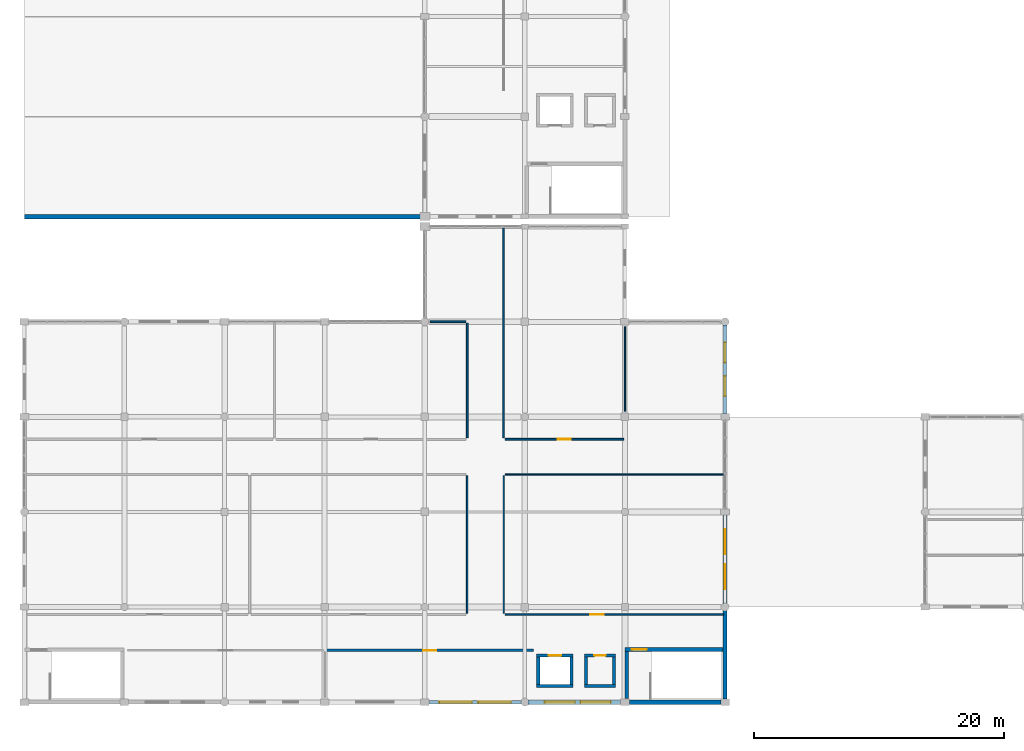
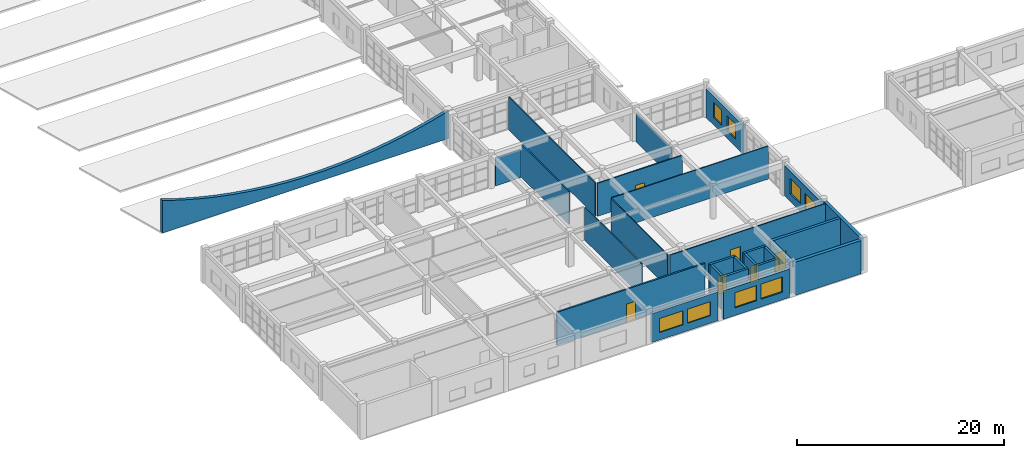
# One storey, part 102 of 121: 27 walls, 8 windows, 6 doors, 14 openings.
"""IFC4 building model written with IfcOpenShell, lengths in metres."""

from ifc_helpers import new_model, si_unit, direction, frame, frame_2d, origin, place, context, subcontext, project, spatial, polyline, rectangle, outline, extrude, material, layer, layer_set, type_object, element, fill, save


model = new_model("IFC4")

# Units and contexts
model_context = context("Model", 3, precision=1e-05, world=origin(), true_north=direction((0.0, 1.0)))
body_context = subcontext(model_context, "Body", "Model", "MODEL_VIEW")
ifc_project = project(units=[si_unit("LENGTHUNIT", "METRE"), si_unit("AREAUNIT", "SQUARE_METRE"), si_unit("VOLUMEUNIT", "CUBIC_METRE"), si_unit("PLANEANGLEUNIT", "RADIAN"), si_unit("MASSUNIT", "GRAM", prefix="KILO")], contexts=[model_context])

# Site, building, storey
site_placement = place(None, origin())
site = spatial("IfcSite", under=ifc_project, at=site_placement, CompositionType="ELEMENT")
building_placement = place(site_placement, origin())
building = spatial("IfcBuilding", under=site, at=building_placement, Name="Kharva Crest Polytechnic", CompositionType="ELEMENT")
storey_placement = place(building_placement, frame((0.0, 0.0, 13.199951171875)))
storey = spatial("IfcBuildingStorey", under=building, at=storey_placement, Name="L03", CompositionType="ELEMENT", Elevation=13.199951171875)

# Wall, opening, door
ifc_material_1 = material(Name="Concrete C40/50", Category="concrete")
ifc_layer_1 = layer(ifc_material_1, 0.300048828125, Name="Concrete C40/50")
ifc_layer_set_1 = layer_set([ifc_layer_1], Name="Concrete C40/50")
wall_type_1 = type_object("IfcWallType", Name="WL-CORE-CW2-300", PredefinedType="SHEAR", material=ifc_layer_set_1)
wall_1_placement = place(storey_placement, frame((48.0, 4.2099609375, 0.0), z_axis=(0.0, 0.0, 1.0), x_axis=(1.0, 0.0, 0.0)))
wall_1 = element("IfcWall", 1, at=wall_1_placement, inside=storey, type_object=wall_type_1, Name="L03 South-West Lecture Core C1 North Shear Wall", PredefinedType="SHEAR", context=body_context, shape_type="SweptSolid", body=[
    extrude(rectangle(XDim=8.0, YDim=0.300048828125, at=frame_2d((4.0, 0.0))), origin(), (0.0, 0.0, 1.0), 3.920166015625),
])
opening_1_placement = place(wall_1_placement, frame((0.550048828125, 0.0, 0.0)))
opening_1 = element("IfcOpeningElement", 2, at=opening_1_placement, cuts=wall_1, Name="Opening FD1", PredefinedType="OPENING", context=body_context, shape_type="SweptSolid", body=[
    extrude(rectangle(XDim=1.199951171875, YDim=2.199951171875, at=frame_2d((0.60009765625, 1.10009765625))), frame((0.0, 0.159912109375, 0.0), z_axis=(0.0, -1.0, 0.0), x_axis=(1.0, 0.0, 0.0)), (0.0, 0.0, 1.0), 0.320068359375),
])
ifc_material_2 = material(Name="Teak timber", Category="wood")
door_type_1 = type_object("IfcDoorType", Name="DR-STAIR-1200X2200", OperationType="NOTDEFINED", PredefinedType="DOOR", material=ifc_material_2)
door_1_placement = place(opening_1_placement, origin())
door_1 = element("IfcDoor", 3, at=door_1_placement, inside=storey, type_object=door_type_1, Name="L03 ST-01 Stair Door", OperationType="SINGLE_SWING_LEFT", OverallHeight=2.199951171875, OverallWidth=1.199951171875, PredefinedType="DOOR", context=body_context, shape_type="SweptSolid", body=[
    extrude(rectangle(XDim=1.199951171875, YDim=2.199951171875, at=frame_2d((0.60009765625, 1.10009765625))), frame((0.0, 0.02490234375, 0.0), z_axis=(0.0, -1.0, 0.0), x_axis=(1.0, 0.0, 0.0)), (0.0, 0.0, 1.0), 0.050048828125),
])
fill(opening_1, door_1)

# Wall
wall_2_placement = place(storey_placement, frame((48.14990234375, 0.300048828125, 0.0), z_axis=(0.0, 0.0, 1.0), x_axis=(0.0, 1.0, 0.0)))
element("IfcWall", 4, at=wall_2_placement, inside=storey, type_object=wall_type_1, Name="L03 South-West Lecture Core C1 West Shear Wall", PredefinedType="SHEAR", context=body_context, shape_type="SweptSolid", body=[
    extrude(rectangle(XDim=3.760009765625, YDim=0.300048828125, at=frame_2d((1.8798828125, 0.0))), origin(), (0.0, 0.0, 1.0), 3.920166015625),
])

# Wall, openings, windows
ifc_material_3 = material(Name="Kiln brick masonry", Category="masonry")
ifc_layer_2 = layer(ifc_material_3, 0.260009765625, Name="Kiln brick masonry")
ifc_layer_set_2 = layer_set([ifc_layer_2], Name="Kiln brick masonry")
wall_type_2 = type_object("IfcWallType", Name="WL-EXT-BRK-260", PredefinedType="SOLIDWALL", material=ifc_layer_set_2)
wall_3_placement = place(storey_placement, frame((32.3349609375, 0.0, 0.0), z_axis=(0.0, 0.0, 1.0), x_axis=(1.0, 0.0, 0.0)))
wall_3 = element("IfcWall", 5, at=wall_3_placement, inside=storey, type_object=wall_type_2, Name="L03 Exterior Brick Wall 302", PredefinedType="SOLIDWALL", context=body_context, shape_type="SweptSolid", body=[
    extrude(rectangle(XDim=7.396240234375, YDim=0.260009765625, at=frame_2d((3.6982421875, 0.0))), origin(), (0.0, 0.0, 1.0), 3.41015625),
])
opening_2_placement = place(wall_3_placement, frame((0.839111328125, 0.0, 0.89990234375)))
opening_2 = element("IfcOpeningElement", 6, at=opening_2_placement, cuts=wall_3, Name="Opening W24", PredefinedType="OPENING", context=body_context, shape_type="SweptSolid", body=[
    extrude(rectangle(XDim=2.60009765625, YDim=1.64990234375, at=frame_2d((1.300048828125, 0.824951171875))), frame((0.0, 0.139892578125, 0.0), z_axis=(0.0, -1.0, 0.0), x_axis=(1.0, 0.0, 0.0)), (0.0, 0.0, 1.0), 0.280029296875),
])
opening_3_placement = place(wall_3_placement, frame((3.95703125, 0.0, 0.89990234375)))
opening_3 = element("IfcOpeningElement", 7, at=opening_3_placement, cuts=wall_3, Name="Opening W24", PredefinedType="OPENING", context=body_context, shape_type="SweptSolid", body=[
    extrude(rectangle(XDim=2.60009765625, YDim=1.64990234375, at=frame_2d((1.300048828125, 0.824951171875))), frame((0.0, 0.139892578125, 0.0), z_axis=(0.0, -1.0, 0.0), x_axis=(1.0, 0.0, 0.0)), (0.0, 0.0, 1.0), 0.280029296875),
])
ifc_material_4 = material(Name="Anodised aluminium", Category="aluminium")
window_type_1 = type_object("IfcWindowType", Name="WIN-ALU-2600X1650", PartitioningType="SINGLE_PANEL", PredefinedType="WINDOW", material=ifc_material_4)
window_1_placement = place(opening_2_placement, origin())
window_1 = element("IfcWindow", 8, at=window_1_placement, inside=storey, type_object=window_type_1, Name="L03 Exterior Window 404", OverallHeight=1.64990234375, OverallWidth=2.60009765625, PartitioningType="SINGLE_PANEL", PredefinedType="WINDOW", context=body_context, shape_type="SweptSolid", body=[
    extrude(rectangle(XDim=2.60009765625, YDim=1.64990234375, at=frame_2d((1.300048828125, 0.824951171875))), frame((0.0, 0.030029296875, 0.0), z_axis=(0.0, -1.0, 0.0), x_axis=(1.0, 0.0, 0.0)), (0.0, 0.0, 1.0), 0.06005859375),
])
fill(opening_2, window_1)
window_2_placement = place(opening_3_placement, origin())
window_2 = element("IfcWindow", 9, at=window_2_placement, inside=storey, type_object=window_type_1, Name="L03 Exterior Window 405", OverallHeight=1.64990234375, OverallWidth=2.60009765625, PartitioningType="SINGLE_PANEL", PredefinedType="WINDOW", context=body_context, shape_type="SweptSolid", body=[
    extrude(rectangle(XDim=2.60009765625, YDim=1.64990234375, at=frame_2d((1.300048828125, 0.824951171875))), frame((0.0, 0.030029296875, 0.0), z_axis=(0.0, -1.0, 0.0), x_axis=(1.0, 0.0, 0.0)), (0.0, 0.0, 1.0), 0.06005859375),
])
fill(opening_3, window_2)

ifc_layer_3 = layer(ifc_material_3, 0.304931640625, Name="Kiln brick masonry")
ifc_layer_set_3 = layer_set([ifc_layer_3], Name="Kiln brick masonry")
wall_type_3 = type_object("IfcWallType", Name="WL-EXT-BRK-305", PredefinedType="SOLIDWALL", material=ifc_layer_set_3)
wall_4_placement = place(storey_placement, frame((56.0, 23.044921875, 0.0), z_axis=(0.0, 0.0, 1.0), x_axis=(0.0, 1.0, 0.0)))
wall_4 = element("IfcWall", 10, at=wall_4_placement, inside=storey, type_object=wall_type_3, Name="L03 Exterior Brick Wall 307", PredefinedType="SOLIDWALL", context=body_context, shape_type="SweptSolid", body=[
    extrude(rectangle(XDim=7.086181640625, YDim=0.304931640625, at=frame_2d((3.54296875, 0.0))), origin(), (0.0, 0.0, 1.0), 3.380126953125),
])
opening_4_placement = place(wall_4_placement, frame((1.402099609375, 0.0, 0.89990234375)))
opening_4 = element("IfcOpeningElement", 11, at=opening_4_placement, cuts=wall_4, Name="Opening W06", PredefinedType="OPENING", context=body_context, shape_type="SweptSolid", body=[
    extrude(rectangle(XDim=1.60009765625, YDim=1.800048828125, at=frame_2d((0.800048828125, 0.89990234375))), frame((0.0, 0.162353515625, 0.0), z_axis=(0.0, -1.0, 0.0), x_axis=(1.0, 0.0, 0.0)), (0.0, 0.0, 1.0), 0.324951171875),
])
opening_5_placement = place(wall_4_placement, frame((4.083984375, 0.0, 0.89990234375)))
opening_5 = element("IfcOpeningElement", 12, at=opening_5_placement, cuts=wall_4, Name="Opening W06", PredefinedType="OPENING", context=body_context, shape_type="SweptSolid", body=[
    extrude(rectangle(XDim=1.60009765625, YDim=1.800048828125, at=frame_2d((0.800048828125, 0.89990234375))), frame((0.0, 0.162353515625, 0.0), z_axis=(0.0, -1.0, 0.0), x_axis=(1.0, 0.0, 0.0)), (0.0, 0.0, 1.0), 0.324951171875),
])
window_type_2 = type_object("IfcWindowType", Name="WIN-ALU-1600X1800", PartitioningType="SINGLE_PANEL", PredefinedType="WINDOW", material=ifc_material_4)
window_3_placement = place(opening_4_placement, origin())
window_3 = element("IfcWindow", 13, at=window_3_placement, inside=storey, type_object=window_type_2, Name="L03 Exterior Window 410", OverallHeight=1.800048828125, OverallWidth=1.60009765625, PartitioningType="SINGLE_PANEL", PredefinedType="WINDOW", context=body_context, shape_type="SweptSolid", body=[
    extrude(rectangle(XDim=1.60009765625, YDim=1.800048828125, at=frame_2d((0.800048828125, 0.89990234375))), frame((0.0, 0.030029296875, 0.0), z_axis=(0.0, -1.0, 0.0), x_axis=(1.0, 0.0, 0.0)), (0.0, 0.0, 1.0), 0.06005859375),
])
fill(opening_4, window_3)
window_4_placement = place(opening_5_placement, origin())
window_4 = element("IfcWindow", 14, at=window_4_placement, inside=storey, type_object=window_type_2, Name="L03 Exterior Window 411", OverallHeight=1.800048828125, OverallWidth=1.60009765625, PartitioningType="SINGLE_PANEL", PredefinedType="WINDOW", context=body_context, shape_type="SweptSolid", body=[
    extrude(rectangle(XDim=1.60009765625, YDim=1.800048828125, at=frame_2d((0.800048828125, 0.89990234375))), frame((0.0, 0.030029296875, 0.0), z_axis=(0.0, -1.0, 0.0), x_axis=(1.0, 0.0, 0.0)), (0.0, 0.0, 1.0), 0.06005859375),
])
fill(opening_5, window_4)

ifc_layer_4 = layer(ifc_material_3, 0.3349609375, Name="Kiln brick masonry")
ifc_layer_set_4 = layer_set([ifc_layer_4], Name="Kiln brick masonry")
wall_type_4 = type_object("IfcWallType", Name="WL-EXT-BRK-335", PredefinedType="SOLIDWALL", material=ifc_layer_set_4)
wall_5_placement = place(storey_placement, frame((56.0, 7.868896484375, 0.0), z_axis=(0.0, 0.0, 1.0), x_axis=(0.0, 1.0, 0.0)))
wall_5 = element("IfcWall", 15, at=wall_5_placement, inside=storey, type_object=wall_type_4, Name="L03 Exterior Brick Wall 306", PredefinedType="SOLIDWALL", context=body_context, shape_type="SweptSolid", body=[
    extrude(rectangle(XDim=7.086181640625, YDim=0.3349609375, at=frame_2d((3.54296875, 0.0))), origin(), (0.0, 0.0, 1.0), 3.52001953125),
])
opening_6_placement = place(wall_5_placement, frame((1.135009765625, 0.0, 0.89990234375)))
opening_6 = element("IfcOpeningElement", 16, at=opening_6_placement, cuts=wall_5, Name="Opening W04", PredefinedType="OPENING", context=body_context, shape_type="SweptSolid", body=[
    extrude(rectangle(XDim=2.0, YDim=1.800048828125, at=frame_2d((1.0, 0.89990234375))), frame((0.0, 0.177490234375, 0.0), z_axis=(0.0, -1.0, 0.0), x_axis=(1.0, 0.0, 0.0)), (0.0, 0.0, 1.0), 0.35498046875),
])
opening_7_placement = place(wall_5_placement, frame((3.950927734375, 0.0, 0.89990234375)))
opening_7 = element("IfcOpeningElement", 17, at=opening_7_placement, cuts=wall_5, Name="Opening W04", PredefinedType="OPENING", context=body_context, shape_type="SweptSolid", body=[
    extrude(rectangle(XDim=2.0, YDim=1.800048828125, at=frame_2d((1.0, 0.89990234375))), frame((0.0, 0.177490234375, 0.0), z_axis=(0.0, -1.0, 0.0), x_axis=(1.0, 0.0, 0.0)), (0.0, 0.0, 1.0), 0.35498046875),
])
window_type_3 = type_object("IfcWindowType", Name="WIN-ALU-2000X1800", PartitioningType="SINGLE_PANEL", PredefinedType="WINDOW", material=ifc_material_4)
window_5_placement = place(opening_6_placement, origin())
window_5 = element("IfcWindow", 18, at=window_5_placement, inside=storey, type_object=window_type_3, Name="L03 Exterior Window 408", OverallHeight=1.800048828125, OverallWidth=2.0, PartitioningType="SINGLE_PANEL", PredefinedType="WINDOW", context=body_context, shape_type="SweptSolid", body=[
    extrude(rectangle(XDim=2.0, YDim=1.800048828125, at=frame_2d((1.0, 0.89990234375))), frame((0.0, 0.030029296875, 0.0), z_axis=(0.0, -1.0, 0.0), x_axis=(1.0, 0.0, 0.0)), (0.0, 0.0, 1.0), 0.06005859375),
])
fill(opening_6, window_5)
window_6_placement = place(opening_7_placement, origin())
window_6 = element("IfcWindow", 19, at=window_6_placement, inside=storey, type_object=window_type_3, Name="L03 Exterior Window 409", OverallHeight=1.800048828125, OverallWidth=2.0, PartitioningType="SINGLE_PANEL", PredefinedType="WINDOW", context=body_context, shape_type="SweptSolid", body=[
    extrude(rectangle(XDim=2.0, YDim=1.800048828125, at=frame_2d((1.0, 0.89990234375))), frame((0.0, 0.030029296875, 0.0), z_axis=(0.0, -1.0, 0.0), x_axis=(1.0, 0.0, 0.0)), (0.0, 0.0, 1.0), 0.06005859375),
])
fill(opening_7, window_6)

# Walls
ifc_layer_5 = layer(ifc_material_3, 0.35009765625, Name="Kiln brick masonry")
ifc_layer_set_5 = layer_set([ifc_layer_5], Name="Kiln brick masonry")
wall_type_5 = type_object("IfcWallType", Name="WL-EXT-BRK-350", PredefinedType="SOLIDWALL", material=ifc_layer_set_5)
wall_6_placement = place(storey_placement, frame((56.0, 0.2451171875, 0.0), z_axis=(0.0, 0.0, 1.0), x_axis=(0.0, 1.0, 0.0)))
element("IfcWall", 20, at=wall_6_placement, inside=storey, type_object=wall_type_5, Name="L03 Exterior Brick Wall 305", PredefinedType="SOLIDWALL", context=body_context, shape_type="SweptSolid", body=[
    extrude(rectangle(XDim=7.086181640625, YDim=0.35009765625, at=frame_2d((3.54296875, 0.0))), origin(), (0.0, 0.0, 1.0), 3.920166015625),
])
ifc_layer_6 = layer(ifc_material_3, 0.364990234375, Name="Kiln brick masonry")
ifc_layer_set_6 = layer_set([ifc_layer_6], Name="Kiln brick masonry")
wall_type_6 = type_object("IfcWallType", Name="WL-EXT-BRK-365", PredefinedType="SOLIDWALL", material=ifc_layer_set_6)
wall_7_placement = place(storey_placement, frame((48.344970703125, 0.0, 0.0), z_axis=(0.0, 0.0, 1.0), x_axis=(1.0, 0.0, 0.0)))
element("IfcWall", 21, at=wall_7_placement, inside=storey, type_object=wall_type_6, Name="L03 Exterior Brick Wall 304", PredefinedType="SOLIDWALL", context=body_context, shape_type="SweptSolid", body=[
    extrude(rectangle(XDim=7.320068359375, YDim=0.364990234375, at=frame_2d((3.66015625, 0.0))), origin(), (0.0, 0.0, 1.0), 3.920166015625),
])

# Wall, openings, windows
ifc_layer_7 = layer(ifc_material_3, 0.3798828125, Name="Kiln brick masonry")
ifc_layer_set_7 = layer_set([ifc_layer_7], Name="Kiln brick masonry")
wall_type_7 = type_object("IfcWallType", Name="WL-EXT-BRK-380", PredefinedType="SOLIDWALL", material=ifc_layer_set_7)
wall_8_placement = place(storey_placement, frame((40.268798828125, 0.0, 0.0), z_axis=(0.0, 0.0, 1.0), x_axis=(1.0, 0.0, 0.0)))
wall_8 = element("IfcWall", 22, at=wall_8_placement, inside=storey, type_object=wall_type_7, Name="L03 Exterior Brick Wall 303", PredefinedType="SOLIDWALL", context=body_context, shape_type="SweptSolid", body=[
    extrude(rectangle(XDim=7.38623046875, YDim=0.3798828125, at=frame_2d((3.693115234375, 0.0))), origin(), (0.0, 0.0, 1.0), 3.360107421875),
])
opening_8_placement = place(wall_8_placement, frame((1.322998046875, 0.0, 0.89990234375)))
opening_8 = element("IfcOpeningElement", 23, at=opening_8_placement, cuts=wall_8, Name="Opening W02", PredefinedType="OPENING", context=body_context, shape_type="SweptSolid", body=[
    extrude(rectangle(XDim=2.39990234375, YDim=1.800048828125, at=frame_2d((1.199951171875, 0.89990234375))), frame((0.0, 0.199951171875, 0.0), z_axis=(0.0, -1.0, 0.0), x_axis=(1.0, 0.0, 0.0)), (0.0, 0.0, 1.0), 0.39990234375),
])
opening_9_placement = place(wall_8_placement, frame((4.194091796875, 0.0, 0.89990234375)))
opening_9 = element("IfcOpeningElement", 24, at=opening_9_placement, cuts=wall_8, Name="Opening W02", PredefinedType="OPENING", context=body_context, shape_type="SweptSolid", body=[
    extrude(rectangle(XDim=2.39990234375, YDim=1.800048828125, at=frame_2d((1.199951171875, 0.89990234375))), frame((0.0, 0.199951171875, 0.0), z_axis=(0.0, -1.0, 0.0), x_axis=(1.0, 0.0, 0.0)), (0.0, 0.0, 1.0), 0.39990234375),
])
window_type_4 = type_object("IfcWindowType", Name="WIN-ALU-2400X1800", PartitioningType="SINGLE_PANEL", PredefinedType="WINDOW", material=ifc_material_4)
window_7_placement = place(opening_8_placement, origin())
window_7 = element("IfcWindow", 25, at=window_7_placement, inside=storey, type_object=window_type_4, Name="L03 Exterior Window 406", OverallHeight=1.800048828125, OverallWidth=2.39990234375, PartitioningType="SINGLE_PANEL", PredefinedType="WINDOW", context=body_context, shape_type="SweptSolid", body=[
    extrude(rectangle(XDim=2.39990234375, YDim=1.800048828125, at=frame_2d((1.199951171875, 0.89990234375))), frame((0.0, 0.030029296875, 0.0), z_axis=(0.0, -1.0, 0.0), x_axis=(1.0, 0.0, 0.0)), (0.0, 0.0, 1.0), 0.06005859375),
])
fill(opening_8, window_7)
window_8_placement = place(opening_9_placement, origin())
window_8 = element("IfcWindow", 26, at=window_8_placement, inside=storey, type_object=window_type_4, Name="L03 Exterior Window 407", OverallHeight=1.800048828125, OverallWidth=2.39990234375, PartitioningType="SINGLE_PANEL", PredefinedType="WINDOW", context=body_context, shape_type="SweptSolid", body=[
    extrude(rectangle(XDim=2.39990234375, YDim=1.800048828125, at=frame_2d((1.199951171875, 0.89990234375))), frame((0.0, 0.030029296875, 0.0), z_axis=(0.0, -1.0, 0.0), x_axis=(1.0, 0.0, 0.0)), (0.0, 0.0, 1.0), 0.06005859375),
])
fill(opening_9, window_8)

# Walls
ifc_layer_8 = layer(ifc_material_3, 0.360107421875, Name="Kiln brick masonry")
ifc_layer_set_8 = layer_set([ifc_layer_8], Name="Kiln brick masonry")
wall_type_8 = type_object("IfcWallType", Name="WL-PAR-CREST-360", PredefinedType="PARAPET", material=ifc_layer_set_8)
wall_9_placement = place(storey_placement, frame((0.0, 38.800048828125, 0.75), z_axis=(0.0, 0.0, 1.0), x_axis=(1.0, 0.0, 0.0)))
element("IfcWall", 27, at=wall_9_placement, inside=storey, type_object=wall_type_8, Name="L03 Bowed Brick Gable Crest 6", PredefinedType="PARAPET", context=body_context, shape_type="SweptSolid", body=[
    extrude(outline(polyline([(0.0, 0.0), (32.0, 0.0), (32.0, 3.25), (30.0, 2.687744140625), (28.0, 2.210205078125), (26.0, 1.815185546875), (24.0, 1.5009765625), (22.0, 1.265625), (20.0, 1.108642578125), (18.0, 1.02880859375), (16.0, 1.02587890625), (14.0, 1.10009765625), (12.0, 1.251708984375), (10.0, 1.481201171875), (8.0, 1.789794921875), (6.0, 2.178955078125), (4.0, 2.650390625), (2.0, 3.206298828125), (0.0, 3.85009765625), (0.0, 0.0)])), frame((0.0, 0.18017578125, 0.0), z_axis=(0.0, -1.0, 0.0), x_axis=(1.0, 0.0, 0.0)), (0.0, 0.0, 1.0), 0.360107421875),
])
ifc_layer_9 = layer(ifc_material_3, 0.090087890625, Name="Kiln brick masonry")
ifc_layer_set_9 = layer_set([ifc_layer_9], Name="Kiln brick masonry")
wall_type_9 = type_object("IfcWallType", Name="WL-PART-090", PredefinedType="PARTITIONING", material=ifc_layer_set_9)
wall_10_placement = place(storey_placement, frame((38.31005859375, 7.1201171875, 0.0), z_axis=(0.0, 0.0, 1.0), x_axis=(0.0, 1.0, 0.0)))
element("IfcWall", 28, at=wall_10_placement, inside=storey, type_object=wall_type_9, Name="L03 Interior Partition 289", PredefinedType="PARTITIONING", context=body_context, shape_type="SweptSolid", body=[
    extrude(rectangle(XDim=10.9599609375, YDim=0.090087890625, at=frame_2d((5.47998046875, 0.0))), origin(), (0.0, 0.0, 1.0), 3.900146484375),
])
ifc_layer_10 = layer(ifc_material_3, 0.10009765625, Name="Kiln brick masonry")
ifc_layer_set_10 = layer_set([ifc_layer_10], Name="Kiln brick masonry")
wall_type_10 = type_object("IfcWallType", Name="WL-PART-100", PredefinedType="PARTITIONING", material=ifc_layer_set_10)
wall_11_placement = place(storey_placement, frame((38.419921875, 18.18994140625, 0.0), z_axis=(0.0, 0.0, 1.0), x_axis=(1.0, 0.0, 0.0)))
element("IfcWall", 29, at=wall_11_placement, inside=storey, type_object=wall_type_10, Name="L03 Interior Partition 288", PredefinedType="PARTITIONING", context=body_context, shape_type="SweptSolid", body=[
    extrude(rectangle(XDim=17.469970703125, YDim=0.10009765625, at=frame_2d((8.73486328125, 0.0))), origin(), (0.0, 0.0, 1.0), 3.900146484375),
])

# Wall, opening, door
ifc_layer_11 = layer(ifc_material_3, 0.110107421875, Name="Kiln brick masonry")
ifc_layer_set_11 = layer_set([ifc_layer_11], Name="Kiln brick masonry")
wall_type_11 = type_object("IfcWallType", Name="WL-PART-110", PredefinedType="PARTITIONING", material=ifc_layer_set_11)
wall_12_placement = place(storey_placement, frame((38.419921875, 7.010009765625, 0.0), z_axis=(0.0, 0.0, 1.0), x_axis=(1.0, 0.0, 0.0)))
wall_12 = element("IfcWall", 30, at=wall_12_placement, inside=storey, type_object=wall_type_11, Name="L03 Interior Partition 287", PredefinedType="PARTITIONING", context=body_context, shape_type="SweptSolid", body=[
    extrude(rectangle(XDim=17.469970703125, YDim=0.110107421875, at=frame_2d((8.73486328125, 0.0))), origin(), (0.0, 0.0, 1.0), 3.900146484375),
])
opening_10_placement = place(wall_12_placement, frame((6.797119140625, 0.0, 0.0)))
opening_10 = element("IfcOpeningElement", 31, at=opening_10_placement, cuts=wall_12, Name="Opening ID10", PredefinedType="OPENING", context=body_context, shape_type="SweptSolid", body=[
    extrude(rectangle(XDim=1.080078125, YDim=2.14990234375, at=frame_2d((0.5400390625, 1.074951171875))), frame((0.0, 0.06494140625, 0.0), z_axis=(0.0, -1.0, 0.0), x_axis=(1.0, 0.0, 0.0)), (0.0, 0.0, 1.0), 0.130126953125),
])
door_type_2 = type_object("IfcDoorType", Name="DR-CLS-1080X2150", OperationType="NOTDEFINED", PredefinedType="DOOR", material=ifc_material_2)
door_2_placement = place(opening_10_placement, origin())
door_2 = element("IfcDoor", 32, at=door_2_placement, inside=storey, type_object=door_type_2, Name="L03 Seminar Room L03-SW3 Door", OperationType="SINGLE_SWING_RIGHT", OverallHeight=2.14990234375, OverallWidth=1.080078125, PredefinedType="DOOR", context=body_context, shape_type="SweptSolid", body=[
    extrude(rectangle(XDim=1.080078125, YDim=2.14990234375, at=frame_2d((0.5400390625, 1.074951171875))), frame((0.0, 0.02490234375, 0.0), z_axis=(0.0, -1.0, 0.0), x_axis=(1.0, 0.0, 0.0)), (0.0, 0.0, 1.0), 0.050048828125),
])
fill(opening_10, door_2)

# Walls
wall_13_placement = place(storey_placement, frame((48.0, 23.22998046875, 0.0), z_axis=(0.0, 0.0, 1.0), x_axis=(0.0, 1.0, 0.0)))
element("IfcWall", 33, at=wall_13_placement, inside=storey, type_object=wall_type_11, Name="L03 Interior Partition 297", PredefinedType="PARTITIONING", context=body_context, shape_type="SweptSolid", body=[
    extrude(rectangle(XDim=6.7900390625, YDim=0.110107421875, at=frame_2d((3.39501953125, 0.0))), origin(), (0.0, 0.0, 1.0), 3.380126953125),
])
ifc_layer_12 = layer(ifc_material_3, 0.1201171875, Name="Kiln brick masonry")
ifc_layer_set_12 = layer_set([ifc_layer_12], Name="Kiln brick masonry")
wall_type_12 = type_object("IfcWallType", Name="WL-PART-120", PredefinedType="PARTITIONING", material=ifc_layer_set_12)
wall_14_placement = place(storey_placement, frame((35.389892578125, 7.1201171875, 0.0), z_axis=(0.0, 0.0, 1.0), x_axis=(0.0, 1.0, 0.0)))
element("IfcWall", 34, at=wall_14_placement, inside=storey, type_object=wall_type_12, Name="L03 Interior Partition 286", PredefinedType="PARTITIONING", context=body_context, shape_type="SweptSolid", body=[
    extrude(rectangle(XDim=10.9599609375, YDim=0.1201171875, at=frame_2d((5.47998046875, 0.0))), origin(), (0.0, 0.0, 1.0), 3.900146484375),
])
wall_15_placement = place(storey_placement, frame((38.31005859375, 21.1201171875, 0.0), z_axis=(0.0, 0.0, 1.0), x_axis=(0.0, 1.0, 0.0)))
element("IfcWall", 35, at=wall_15_placement, inside=storey, type_object=wall_type_12, Name="L03 Interior Partition 296", PredefinedType="PARTITIONING", context=body_context, shape_type="SweptSolid", body=[
    extrude(rectangle(XDim=16.769775390625, YDim=0.1201171875, at=frame_2d((8.384765625, 0.0))), origin(), (0.0, 0.0, 1.0), 3.900146484375),
])

# Wall, opening, door
ifc_layer_13 = layer(ifc_material_3, 0.1298828125, Name="Kiln brick masonry")
ifc_layer_set_13 = layer_set([ifc_layer_13], Name="Kiln brick masonry")
wall_type_13 = type_object("IfcWallType", Name="WL-PART-130", PredefinedType="PARTITIONING", material=ifc_layer_set_13)
wall_16_placement = place(storey_placement, frame((38.419921875, 21.010009765625, 0.0), z_axis=(0.0, 0.0, 1.0), x_axis=(1.0, 0.0, 0.0)))
wall_16 = element("IfcWall", 36, at=wall_16_placement, inside=storey, type_object=wall_type_13, Name="L03 Interior Partition 295", PredefinedType="PARTITIONING", context=body_context, shape_type="SweptSolid", body=[
    extrude(rectangle(XDim=9.469970703125, YDim=0.1298828125, at=frame_2d((4.73486328125, 0.0))), origin(), (0.0, 0.0, 1.0), 3.900146484375),
])
opening_11_placement = place(wall_16_placement, frame((4.215087890625, 0.0, 0.0)))
opening_11 = element("IfcOpeningElement", 37, at=opening_11_placement, cuts=wall_16, Name="Opening ID11", PredefinedType="OPENING", context=body_context, shape_type="SweptSolid", body=[
    extrude(rectangle(XDim=1.0400390625, YDim=2.14990234375, at=frame_2d((0.52001953125, 1.074951171875))), frame((0.0, 0.074951171875, 0.0), z_axis=(0.0, -1.0, 0.0), x_axis=(1.0, 0.0, 0.0)), (0.0, 0.0, 1.0), 0.14990234375),
])
door_type_3 = type_object("IfcDoorType", Name="DR-CLS-1040X2150", OperationType="NOTDEFINED", PredefinedType="DOOR", material=ifc_material_2)
door_3_placement = place(opening_11_placement, origin())
door_3 = element("IfcDoor", 38, at=door_3_placement, inside=storey, type_object=door_type_3, Name="L03 Tutorial Seminar Room L03-Link Door", OperationType="SINGLE_SWING_LEFT", OverallHeight=2.14990234375, OverallWidth=1.0400390625, PredefinedType="DOOR", context=body_context, shape_type="SweptSolid", body=[
    extrude(rectangle(XDim=1.0400390625, YDim=2.14990234375, at=frame_2d((0.52001953125, 1.074951171875))), frame((0.0, 0.02490234375, 0.0), z_axis=(0.0, -1.0, 0.0), x_axis=(1.0, 0.0, 0.0)), (0.0, 0.0, 1.0), 0.050048828125),
])
fill(opening_11, door_3)

# Walls
ifc_layer_14 = layer(ifc_material_3, 0.139892578125, Name="Kiln brick masonry")
ifc_layer_set_14 = layer_set([ifc_layer_14], Name="Kiln brick masonry")
wall_type_14 = type_object("IfcWallType", Name="WL-PART-140", PredefinedType="PARTITIONING", material=ifc_layer_set_14)
wall_17_placement = place(storey_placement, frame((35.389892578125, 21.1201171875, 0.0), z_axis=(0.0, 0.0, 1.0), x_axis=(0.0, 1.0, 0.0)))
element("IfcWall", 39, at=wall_17_placement, inside=storey, type_object=wall_type_14, Name="L03 Interior Partition 294", PredefinedType="PARTITIONING", context=body_context, shape_type="SweptSolid", body=[
    extrude(rectangle(XDim=9.169921875, YDim=0.139892578125, at=frame_2d((4.5849609375, 0.0))), origin(), (0.0, 0.0, 1.0), 3.900146484375),
])
ifc_layer_15 = layer(ifc_material_3, 0.14990234375, Name="Kiln brick masonry")
ifc_layer_set_15 = layer_set([ifc_layer_15], Name="Kiln brick masonry")
wall_type_15 = type_object("IfcWallType", Name="WL-PART-150", PredefinedType="PARTITIONING", material=ifc_layer_set_15)
wall_18_placement = place(storey_placement, frame((32.449951171875, 30.39990234375, 0.0), z_axis=(0.0, 0.0, 1.0), x_axis=(1.0, 0.0, 0.0)))
element("IfcWall", 40, at=wall_18_placement, inside=storey, type_object=wall_type_15, Name="L03 Interior Partition 293", PredefinedType="PARTITIONING", context=body_context, shape_type="SweptSolid", body=[
    extrude(rectangle(XDim=2.830078125, YDim=0.14990234375, at=frame_2d((1.4150390625, 0.0))), origin(), (0.0, 0.0, 1.0), 3.300048828125),
])

# Wall, opening, door
ifc_layer_16 = layer(ifc_material_3, 0.179931640625, Name="Kiln brick masonry")
ifc_layer_set_16 = layer_set([ifc_layer_16], Name="Kiln brick masonry")
wall_type_16 = type_object("IfcWallType", Name="WL-PART-180", PredefinedType="PARTITIONING", material=ifc_layer_set_16)
wall_19_placement = place(storey_placement, frame((24.1201171875, 4.139892578125, 0.0), z_axis=(0.0, 0.0, 1.0), x_axis=(1.0, 0.0, 0.0)))
wall_19 = element("IfcWall", 41, at=wall_19_placement, inside=storey, type_object=wall_type_16, Name="L03 Interior Partition 280", PredefinedType="PARTITIONING", context=body_context, shape_type="SweptSolid", body=[
    extrude(rectangle(XDim=16.56982421875, YDim=0.179931640625, at=frame_2d((8.284912109375, 0.0))), origin(), (0.0, 0.0, 1.0), 3.900146484375),
])
opening_12_placement = place(wall_19_placement, frame((7.764892578125, 0.0, 0.0)))
opening_12 = element("IfcOpeningElement", 42, at=opening_12_placement, cuts=wall_19, Name="Opening ID11", PredefinedType="OPENING", context=body_context, shape_type="SweptSolid", body=[
    extrude(rectangle(XDim=1.0400390625, YDim=2.14990234375, at=frame_2d((0.52001953125, 1.074951171875))), frame((0.0, 0.099853515625, 0.0), z_axis=(0.0, -1.0, 0.0), x_axis=(1.0, 0.0, 0.0)), (0.0, 0.0, 1.0), 0.199951171875),
])
door_4_placement = place(opening_12_placement, origin())
door_4 = element("IfcDoor", 43, at=door_4_placement, inside=storey, type_object=door_type_3, Name="L03 Classroom L03-2 Door", OperationType="SINGLE_SWING_LEFT", OverallHeight=2.14990234375, OverallWidth=1.0400390625, PredefinedType="DOOR", context=body_context, shape_type="SweptSolid", body=[
    extrude(rectangle(XDim=1.0400390625, YDim=2.14990234375, at=frame_2d((0.52001953125, 1.074951171875))), frame((0.0, 0.02490234375, 0.0), z_axis=(0.0, -1.0, 0.0), x_axis=(1.0, 0.0, 0.0)), (0.0, 0.0, 1.0), 0.050048828125),
])
fill(opening_12, door_4)

# Wall
ifc_layer_17 = layer(ifc_material_1, 0.25, Name="Concrete C40/50")
ifc_layer_set_17 = layer_set([ifc_layer_17], Name="Concrete C40/50")
wall_type_17 = type_object("IfcWallType", Name="WL-SHEAR-SW1-250", PredefinedType="SHEAR", material=ifc_layer_set_17)
wall_20_placement = place(storey_placement, frame((40.949951171875, 1.27490234375, 0.0), z_axis=(0.0, 0.0, 1.0), x_axis=(1.0, 0.0, 0.0)))
element("IfcWall", 44, at=wall_20_placement, inside=storey, type_object=wall_type_17, Name="L03 Lift PL1 South Shaft Wall", PredefinedType="SHEAR", context=body_context, shape_type="SweptSolid", body=[
    extrude(rectangle(XDim=2.900146484375, YDim=0.25, at=frame_2d((1.4501953125, 0.0))), origin(), (0.0, 0.0, 1.0), 3.920166015625),
])

# Wall, opening, door
wall_21_placement = place(storey_placement, frame((40.949951171875, 3.72509765625, 0.0), z_axis=(0.0, 0.0, 1.0), x_axis=(1.0, 0.0, 0.0)))
wall_21 = element("IfcWall", 45, at=wall_21_placement, inside=storey, type_object=wall_type_17, Name="L03 Lift PL1 North Shaft Wall", PredefinedType="SHEAR", context=body_context, shape_type="SweptSolid", body=[
    extrude(rectangle(XDim=2.900146484375, YDim=0.25, at=frame_2d((1.4501953125, 0.0))), origin(), (0.0, 0.0, 1.0), 3.920166015625),
])
opening_13_placement = place(wall_21_placement, frame((0.949951171875, 0.0, 0.0)))
opening_13 = element("IfcOpeningElement", 46, at=opening_13_placement, cuts=wall_21, Name="Opening LD2", PredefinedType="OPENING", context=body_context, shape_type="SweptSolid", body=[
    extrude(rectangle(XDim=1.0, YDim=2.14990234375, at=frame_2d((0.5, 1.074951171875))), frame((0.0, 0.135009765625, 0.0), z_axis=(0.0, -1.0, 0.0), x_axis=(1.0, 0.0, 0.0)), (0.0, 0.0, 1.0), 0.27001953125),
])
door_type_4 = type_object("IfcDoorType", Name="DR-LIFT-LD2-1000X2150", OperationType="SLIDING_TO_LEFT", PredefinedType="DOOR", material=ifc_material_4)
door_5_placement = place(opening_13_placement, origin())
door_5 = element("IfcDoor", 47, at=door_5_placement, inside=storey, type_object=door_type_4, Name="L03 Lift PL1 Sliding Landing Door", OperationType="SLIDING_TO_LEFT", OverallHeight=2.14990234375, OverallWidth=1.0, PredefinedType="DOOR", context=body_context, shape_type="SweptSolid", body=[
    extrude(rectangle(XDim=1.0, YDim=2.14990234375, at=frame_2d((0.5, 1.074951171875))), frame((0.0, 0.02490234375, 0.0), z_axis=(0.0, -1.0, 0.0), x_axis=(1.0, 0.0, 0.0)), (0.0, 0.0, 1.0), 0.050048828125),
])
fill(opening_13, door_5)

# Walls
for number, where, z_axis, x_axis, name in (
    (48, (41.074951171875, 1.39990234375, 0.0), (0.0, 0.0, 1.0), (0.0, 1.0, 0.0), "L03 Lift PL1 West Shaft Wall"),
    (49, (43.72509765625, 1.39990234375, 0.0), (0.0, 0.0, 1.0), (0.0, 1.0, 0.0), "L03 Lift PL1 East Shaft Wall"),
):
    element("IfcWall", number, at=place(storey_placement, frame(where, z_axis=z_axis, x_axis=x_axis)), inside=storey, type_object=wall_type_17, Name=name, PredefinedType="SHEAR", context=body_context, shape_type="SweptSolid", body=[
        extrude(rectangle(XDim=2.2001953125, YDim=0.25, at=frame_2d((1.10009765625, 0.0))), origin(), (0.0, 0.0, 1.0), 3.920166015625),
    ])
wall_22_placement = place(storey_placement, frame((44.75, 1.27490234375, 0.0), z_axis=(0.0, 0.0, 1.0), x_axis=(1.0, 0.0, 0.0)))
element("IfcWall", 50, at=wall_22_placement, inside=storey, type_object=wall_type_17, Name="L03 Core C1 Riser South Wall", PredefinedType="SHEAR", context=body_context, shape_type="SweptSolid", body=[
    extrude(rectangle(XDim=2.5, YDim=0.25, at=frame_2d((1.25, 0.0))), origin(), (0.0, 0.0, 1.0), 3.920166015625),
])

# Wall, opening, door
wall_23_placement = place(storey_placement, frame((44.75, 3.72509765625, 0.0), z_axis=(0.0, 0.0, 1.0), x_axis=(1.0, 0.0, 0.0)))
wall_23 = element("IfcWall", 51, at=wall_23_placement, inside=storey, type_object=wall_type_17, Name="L03 Core C1 Riser North Wall", PredefinedType="SHEAR", context=body_context, shape_type="SweptSolid", body=[
    extrude(rectangle(XDim=2.5, YDim=0.25, at=frame_2d((1.25, 0.0))), origin(), (0.0, 0.0, 1.0), 3.920166015625),
])
opening_14_placement = place(wall_23_placement, frame((0.800048828125, 0.0, 0.0)))
opening_14 = element("IfcOpeningElement", 52, at=opening_14_placement, cuts=wall_23, Name="Opening FD3", PredefinedType="OPENING", context=body_context, shape_type="SweptSolid", body=[
    extrude(rectangle(XDim=0.89990234375, YDim=2.050048828125, at=frame_2d((0.449951171875, 1.02490234375))), frame((0.0, 0.135009765625, 0.0), z_axis=(0.0, -1.0, 0.0), x_axis=(1.0, 0.0, 0.0)), (0.0, 0.0, 1.0), 0.27001953125),
])
door_type_5 = type_object("IfcDoorType", Name="DR-RISER-900X2050", OperationType="NOTDEFINED", PredefinedType="DOOR", material=ifc_material_4)
door_6_placement = place(opening_14_placement, origin())
door_6 = element("IfcDoor", 53, at=door_6_placement, inside=storey, type_object=door_type_5, Name="L03 Core C1 Riser Access Door", OperationType="SINGLE_SWING_RIGHT", OverallHeight=2.050048828125, OverallWidth=0.89990234375, PredefinedType="DOOR", context=body_context, shape_type="SweptSolid", body=[
    extrude(rectangle(XDim=0.89990234375, YDim=2.050048828125, at=frame_2d((0.449951171875, 1.02490234375))), frame((0.0, 0.02490234375, 0.0), z_axis=(0.0, -1.0, 0.0), x_axis=(1.0, 0.0, 0.0)), (0.0, 0.0, 1.0), 0.050048828125),
])
fill(opening_14, door_6)

# Walls
for number, where, z_axis, x_axis, name in (
    (54, (44.875, 1.39990234375, 0.0), (0.0, 0.0, 1.0), (0.0, 1.0, 0.0), "L03 Core C1 Riser West Wall"),
    (55, (47.125, 1.39990234375, 0.0), (0.0, 0.0, 1.0), (0.0, 1.0, 0.0), "L03 Core C1 Riser East Wall"),
):
    element("IfcWall", number, at=place(storey_placement, frame(where, z_axis=z_axis, x_axis=x_axis)), inside=storey, type_object=wall_type_17, Name=name, PredefinedType="SHEAR", context=body_context, shape_type="SweptSolid", body=[
        extrude(rectangle(XDim=2.2001953125, YDim=0.25, at=frame_2d((1.10009765625, 0.0))), origin(), (0.0, 0.0, 1.0), 3.920166015625),
    ])

save(model, "model.ifc")
